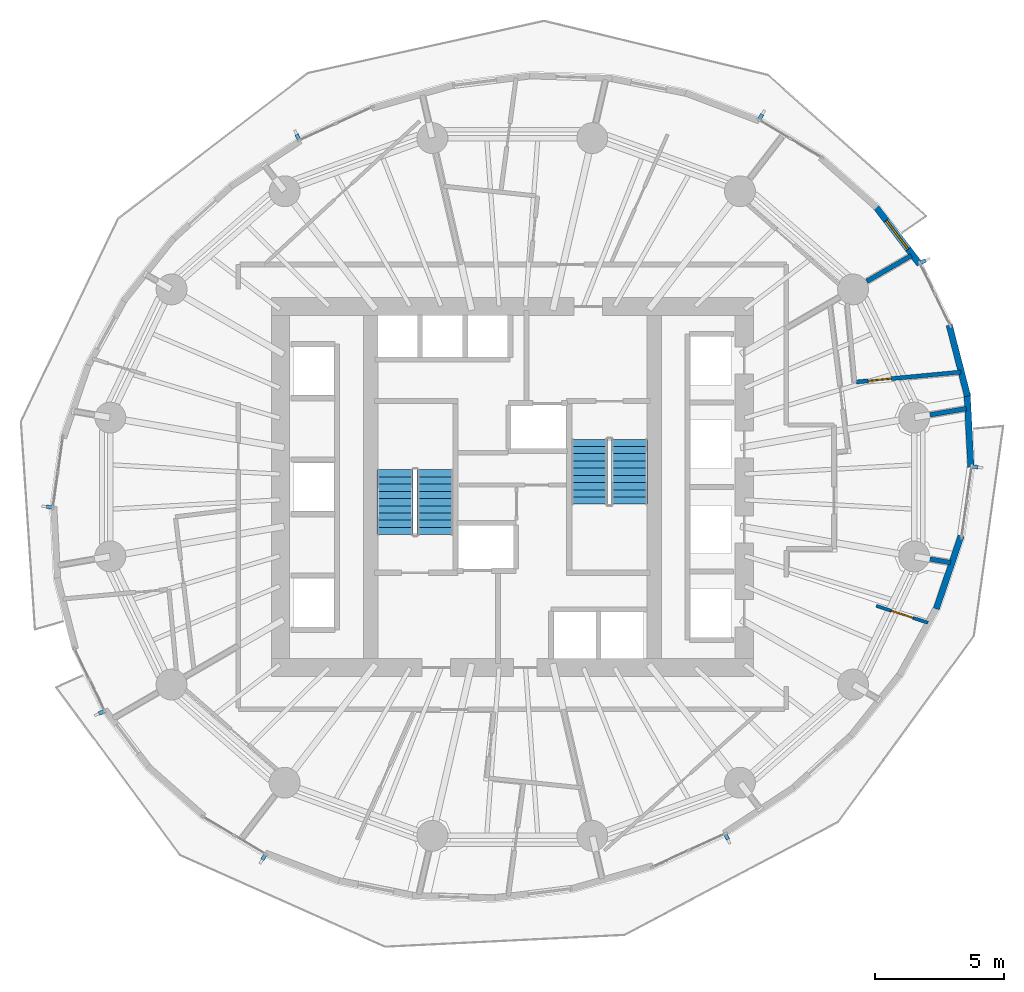
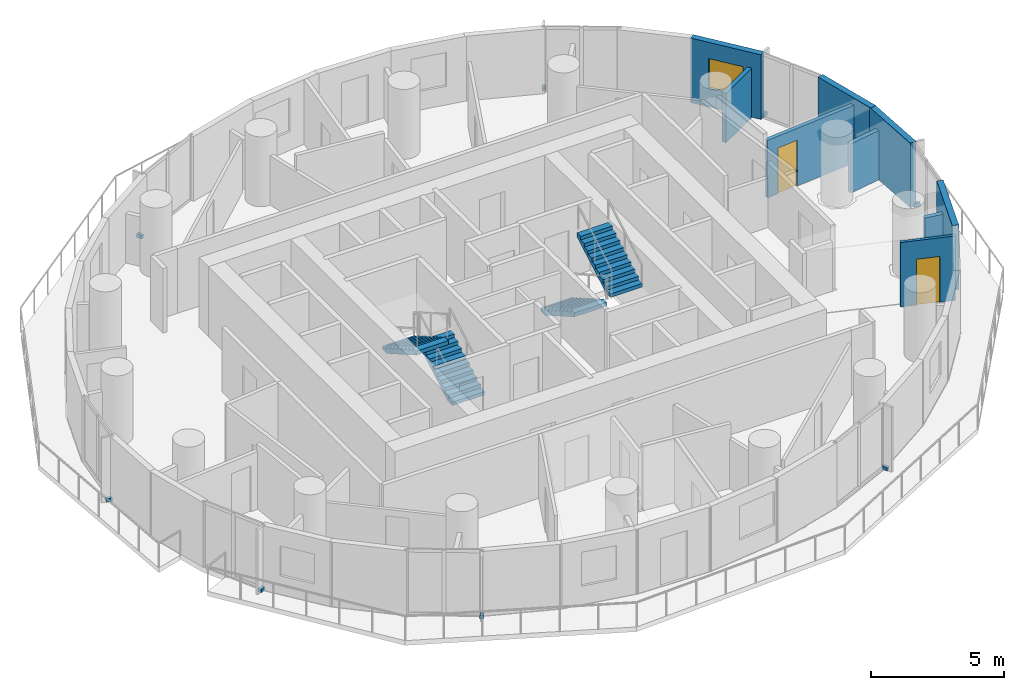
# One storey, part 10 of 14: 9 walls, 8 discrete accessories, 4 stair flights, 2 doors, 1 window, 3 openings, 2 elements without a shape of their own.
"""IFC4 building model written with IfcOpenShell, lengths in metres."""

from ifc_helpers import new_model, si_unit, direction, frame, frame_2d, origin, origin_2d, place, context, subcontext, project, spatial, polyline, rectangle, outline, extrude, material, layer, layer_set, type_object, element, fill, aggregate, save


model = new_model("IFC4")

# Units and contexts
model_context = context("Model", 3, precision=1e-05, world=origin(), true_north=direction((0.0, 1.0)))
body_context = subcontext(model_context, "Body", "Model", "MODEL_VIEW")
ifc_project = project(units=[si_unit("LENGTHUNIT", "METRE"), si_unit("AREAUNIT", "SQUARE_METRE"), si_unit("VOLUMEUNIT", "CUBIC_METRE"), si_unit("PLANEANGLEUNIT", "RADIAN"), si_unit("MASSUNIT", "GRAM", prefix="KILO")], contexts=[model_context])

# Site, building, storey
site_placement = place(None, origin())
site = spatial("IfcSite", under=ifc_project, at=site_placement, CompositionType="ELEMENT")
building_placement = place(site_placement, origin())
building = spatial("IfcBuilding", under=site, at=building_placement, Name="Veldorim Arch Residences", CompositionType="ELEMENT")
storey_placement = place(building_placement, frame((0.0, 0.0, 86.8798828125)))
storey = spatial("IfcBuildingStorey", under=building, at=storey_placement, Name="L25", CompositionType="ELEMENT", Elevation=86.8798828125)

# Wall, opening, door
ifc_material_1 = material(Name="Acoustic Gypsum Board", Category="gypsum")
ifc_layer_1 = layer(ifc_material_1, 0.125, Name="Acoustic Stud Room Partition Wall 125")
ifc_layer_set_1 = layer_set([ifc_layer_1], Name="Acoustic Gypsum Board")
wall_type_1 = type_object("IfcWallType", Name="Acoustic Stud Room Partition Wall 125", PredefinedType="PARTITIONING", material=ifc_layer_set_1)
wall_1_placement = place(storey_placement, frame((48.1298828125, 18.73046875, 0.0), z_axis=(0.0, 0.0, 1.0), x_axis=(-0.950573429935, 0.310499845896, 0.0)))
wall_1 = element("IfcWall", 1, at=wall_1_placement, inside=storey, type_object=wall_type_1, Name="L25 interior wall WL-RES-L25-023", PredefinedType="PARTITIONING", context=body_context, shape_type="SweptSolid", body=[
    extrude(rectangle(XDim=2.112060546875, YDim=0.125, at=frame_2d((1.05615234375, 0.0))), origin(), (0.0, 0.0, 1.0), 2.955078125),
])
opening_1_placement = place(wall_1_placement, frame((0.60595703125, 0.0, 0.0)))
opening_1 = element("IfcOpeningElement", 2, at=opening_1_placement, cuts=wall_1, Name="Opening DR-INT", PredefinedType="OPENING", context=body_context, shape_type="SweptSolid", body=[
    extrude(rectangle(XDim=0.89990234375, YDim=2.10009765625, at=frame_2d((0.449951171875, 1.050048828125))), frame((0.0, 0.072509765625, 0.0), z_axis=(0.0, -1.0, 0.0), x_axis=(1.0, 0.0, 0.0)), (0.0, 0.0, 1.0), 0.14501953125),
])
ifc_material_2 = material(Name="Engineered Timber", Category="wood")
door_type_1 = type_object("IfcDoorType", Name="Apartment Internal Room Timber Door 900x2100", OperationType="SINGLE_SWING_LEFT", PredefinedType="DOOR", material=ifc_material_2)
door_1_placement = place(opening_1_placement, origin())
door_1 = element("IfcDoor", 3, at=door_1_placement, inside=storey, type_object=door_type_1, Name="L25 interior door DR-RES-L25-008", OperationType="SINGLE_SWING_RIGHT", OverallHeight=2.10009765625, OverallWidth=0.89990234375, PredefinedType="DOOR", context=body_context, shape_type="SweptSolid", body=[
    extrude(rectangle(XDim=0.89990234375, YDim=2.10009765625, at=frame_2d((0.449951171875, 1.050048828125))), frame((0.0, 0.02490234375, 0.0), z_axis=(0.0, -1.0, 0.0), x_axis=(1.0, 0.0, 0.0)), (0.0, 0.0, 1.0), 0.050048828125),
])
fill(opening_1, door_1)

# Walls
ifc_material_3 = material(Name="Lightweight Masonry Block & Gypsum", Category="masonry")
ifc_layer_2 = layer(ifc_material_3, 0.179931640625, Name="Compartment & Corridor Fire-Rated Party Wall 180")
ifc_layer_set_2 = layer_set([ifc_layer_2], Name="Lightweight Masonry Block & Gypsum")
wall_type_2 = type_object("IfcWallType", Name="Compartment & Corridor Fire-Rated Party Wall 180", PredefinedType="PARTITIONING", material=ifc_layer_set_2)
wall_2_placement = place(storey_placement, frame((48.20556640625, 26.797607421875, 0.0), z_axis=(0.0, 0.0, 1.0), x_axis=(0.985402123708, 0.170242928172, 0.0)))
element("IfcWall", 4, at=wall_2_placement, inside=storey, type_object=wall_type_2, Name="L25 interior wall WL-PIER-L25-01", PredefinedType="PARTITIONING", context=body_context, shape_type="SweptSolid", body=[
    extrude(rectangle(XDim=1.435546875, YDim=0.179931640625, at=frame_2d((0.7177734375, 0.0))), origin(), (0.0, 0.0, 1.0), 2.2607421875),
])
wall_3_placement = place(storey_placement, frame((45.756591796875, 31.977783203125, 0.0), z_axis=(0.0, 0.0, 1.0), x_axis=(0.865046065875, 0.501692439563, 0.0)))
element("IfcWall", 5, at=wall_3_placement, inside=storey, type_object=wall_type_2, Name="L25 interior wall WL-PIER-L25-02", PredefinedType="PARTITIONING", context=body_context, shape_type="SweptSolid", body=[
    extrude(rectangle(XDim=1.994140625, YDim=0.179931640625, at=frame_2d((0.9970703125, 0.0))), origin(), (0.0, 0.0, 1.0), 2.2607421875),
])
wall_4_placement = place(storey_placement, frame((48.20556640625, 21.202392578125, 0.0), z_axis=(0.0, 0.0, 1.0), x_axis=(0.985418430365, -0.170148514822, 0.0)))
element("IfcWall", 6, at=wall_4_placement, inside=storey, type_object=wall_type_2, Name="L25 interior wall WL-PIER-L25-16", PredefinedType="PARTITIONING", context=body_context, shape_type="SweptSolid", body=[
    extrude(rectangle(XDim=0.812255859375, YDim=0.179931640625, at=frame_2d((0.40625, 0.0))), origin(), (0.0, 0.0, 1.0), 2.2607421875),
])

# Wall, opening, window
ifc_material_4 = material(Name="Precast concrete C40/50", Category="concrete")
ifc_layer_3 = layer(ifc_material_4, 0.25, Name="Tower Terracotta Spandrel & Pier Wall 250")
ifc_layer_set_3 = layer_set([ifc_layer_3], Name="Precast concrete C40/50")
wall_type_3 = type_object("IfcWallType", Name="Tower Terracotta Spandrel & Pier Wall 250", PredefinedType="SOLIDWALL", material=ifc_layer_set_3)
wall_5_placement = place(storey_placement, frame((46.0654296875, 34.927001953125, 0.0), z_axis=(0.0, 0.0, 1.0), x_axis=(0.606166055027, -0.795338112838, 0.0)))
wall_5 = element("IfcWall", 7, at=wall_5_placement, inside=storey, type_object=wall_type_3, Name="L25 terracotta facade wall 02", PredefinedType="SOLIDWALL", context=body_context, shape_type="SweptSolid", body=[
    extrude(rectangle(XDim=2.8740234375, YDim=0.25, at=frame_2d((1.43701171875, 0.0))), origin(), (0.0, 0.0, 1.0), 2.960205078125),
])
opening_2_placement = place(wall_5_placement, frame((0.737060546875, 0.0, 0.85009765625)))
opening_2 = element("IfcOpeningElement", 8, at=opening_2_placement, cuts=wall_5, Name="Opening WN-02", PredefinedType="OPENING", context=body_context, shape_type="SweptSolid", body=[
    extrude(rectangle(XDim=1.39990234375, YDim=1.3701171875, at=frame_2d((0.699951171875, 0.68505859375))), frame((0.0, 0.135009765625, 0.0), z_axis=(0.0, -1.0, 0.0), x_axis=(1.0, 0.0, 0.0)), (0.0, 0.0, 1.0), 0.27001953125),
])
ifc_material_5 = material(Name="Laminated Low-E Glass", Category="glass")
window_type = type_object("IfcWindowType", Name="Residential Casement Window 1400x1550", PartitioningType="SINGLE_PANEL", PredefinedType="WINDOW", material=ifc_material_5)
window_placement = place(opening_2_placement, origin())
window = element("IfcWindow", 9, at=window_placement, inside=storey, type_object=window_type, Name="L25 solar-control facade window 02", OverallHeight=1.3701171875, OverallWidth=1.39990234375, PartitioningType="SINGLE_PANEL", PredefinedType="WINDOW", context=body_context, shape_type="SweptSolid", body=[
    extrude(rectangle(XDim=1.39990234375, YDim=1.3701171875, at=frame_2d((0.699951171875, 0.68505859375))), frame((0.0, 0.030029296875, 0.0), z_axis=(0.0, -1.0, 0.0), x_axis=(1.0, 0.0, 0.0)), (0.0, 0.0, 1.0), 0.06005859375),
])
fill(opening_2, window)

# Walls
wall_6_placement = place(storey_placement, frame((49.414794921875, 22.098876953125, 0.0), z_axis=(0.0, 0.0, 1.0), x_axis=(-0.321149814784, -0.947028403198, 0.0)))
element("IfcWall", 10, at=wall_6_placement, inside=storey, type_object=wall_type_3, Name="L25 terracotta facade wall 33", PredefinedType="SOLIDWALL", context=body_context, shape_type="SweptSolid", body=[
    extrude(rectangle(XDim=2.98828125, YDim=0.25, at=frame_2d((1.494140625, 0.0))), origin(), (0.0, 0.0, 1.0), 2.960205078125),
])
wall_7_placement = place(storey_placement, frame((49.643798828125, 27.64013671875, 0.0), z_axis=(0.0, 0.0, 1.0), x_axis=(0.052411702269, -0.998625562193, 0.0)))
element("IfcWall", 11, at=wall_7_placement, inside=storey, type_object=wall_type_3, Name="L25 terracotta facade wall 35", PredefinedType="SOLIDWALL", context=body_context, shape_type="SweptSolid", body=[
    extrude(rectangle(XDim=2.8740234375, YDim=0.25, at=frame_2d((1.43701171875, 0.0))), origin(), (0.0, 0.0, 1.0), 2.960205078125),
])
wall_8_placement = place(storey_placement, frame((48.95263671875, 30.284912109375, 0.0), z_axis=(0.0, 0.0, 1.0), x_axis=(0.248825035787, -0.96854845081, 0.0)))
element("IfcWall", 12, at=wall_8_placement, inside=storey, type_object=wall_type_3, Name="L25 terracotta facade wall 36", PredefinedType="SOLIDWALL", context=body_context, shape_type="SweptSolid", body=[
    extrude(rectangle(XDim=2.847412109375, YDim=0.25, at=frame_2d((1.423828125, 0.0))), origin(), (0.0, 0.0, 1.0), 2.960205078125),
])

# Wall, opening, door
ifc_material_6 = material(Name="Moisture-Resistant Gypsum & Stud", Category="gypsum")
ifc_layer_4 = layer(ifc_material_6, 0.159912109375, Name="Wet-Area Moisture-Resistant Plumbing Wall 160")
ifc_layer_set_4 = layer_set([ifc_layer_4], Name="Moisture-Resistant Gypsum & Stud")
wall_type_4 = type_object("IfcWallType", Name="Wet-Area Moisture-Resistant Plumbing Wall 160", PredefinedType="PLUMBINGWALL", material=ifc_layer_set_4)
wall_9_placement = place(storey_placement, frame((45.34716796875, 28.07421875, 0.0), z_axis=(0.0, 0.0, 1.0), x_axis=(0.995525564748, 0.09449259195, 0.0)))
wall_9 = element("IfcWall", 13, at=wall_9_placement, inside=storey, type_object=wall_type_4, Name="L25 interior wall WL-RES-L25-022", PredefinedType="PLUMBINGWALL", context=body_context, shape_type="SweptSolid", body=[
    extrude(rectangle(XDim=4.0771484375, YDim=0.159912109375, at=frame_2d((2.03857421875, 0.0))), origin(), (0.0, 0.0, 1.0), 2.6416015625),
])
opening_3_placement = place(wall_9_placement, frame((0.468505859375, 0.0, 0.0)))
opening_3 = element("IfcOpeningElement", 14, at=opening_3_placement, cuts=wall_9, Name="Opening DR-WC", PredefinedType="OPENING", context=body_context, shape_type="SweptSolid", body=[
    extrude(rectangle(XDim=0.89990234375, YDim=2.10009765625, at=frame_2d((0.449951171875, 1.050048828125))), frame((0.0, 0.08984375, 0.0), z_axis=(0.0, -1.0, 0.0), x_axis=(1.0, 0.0, 0.0)), (0.0, 0.0, 1.0), 0.179931640625),
])
ifc_material_7 = material(Name="Laminate Timber", Category="wood")
door_type_2 = type_object("IfcDoorType", Name="Bathroom & Accessible WC Moisture-Sealed Door 900x2100", OperationType="SINGLE_SWING_LEFT", PredefinedType="DOOR", material=ifc_material_7)
door_2_placement = place(opening_3_placement, origin())
door_2 = element("IfcDoor", 15, at=door_2_placement, inside=storey, type_object=door_type_2, Name="L25 interior door DR-RES-L25-007", OperationType="SINGLE_SWING_LEFT", OverallHeight=2.10009765625, OverallWidth=0.89990234375, PredefinedType="DOOR", context=body_context, shape_type="SweptSolid", body=[
    extrude(rectangle(XDim=0.89990234375, YDim=2.10009765625, at=frame_2d((0.449951171875, 1.050048828125))), frame((0.0, 0.02490234375, 0.0), z_axis=(0.0, -1.0, 0.0), x_axis=(1.0, 0.0, 0.0)), (0.0, 0.0, 1.0), 0.050048828125),
])
fill(opening_3, door_2)

# Stair, stair flights
ifc_material_8 = material(Name="Concrete C40/50", Category="concrete")
stair_type = type_object("IfcStairType", Name="Reinforced Concrete Dogleg Exit Staircase", PredefinedType="HALF_TURN_STAIR", material=ifc_material_8)
stair_1_placement = place(storey_placement, origin())
stair_1 = element("IfcStair", 16, at=stair_1_placement, inside=storey, type_object=stair_type, Name="L25 Exit Staircase ST-1", PredefinedType="HALF_TURN_STAIR")
ifc_material_9 = material(Name="Concrete C40/50", Category="concrete")
stair_flight_type = type_object("IfcStairFlightType", Name="Reinforced Concrete Stair Flight 1400", PredefinedType="STRAIGHT", material=ifc_material_9)
stair_flight_1_placement = place(storey_placement, frame((29.010009765625, 22.14990234375, 0.0), z_axis=(0.0, 0.0, 1.0), x_axis=(0.0, 1.0, 0.0)))
stair_flight_1 = element("IfcStairFlight", 17, at=stair_flight_1_placement, type_object=stair_flight_type, Name="ST-1 flight 1", NumberOfRisers=10, NumberOfTreads=9, PredefinedType="STRAIGHT", RiserHeight=0.16, TreadLength=0.28, context=body_context, shape_type="SweptSolid", body=[
    extrude(outline(polyline([(0.0, 0.0), (0.0, 0.159912109375), (0.280029296875, 0.159912109375), (0.280029296875, 0.320068359375), (0.56005859375, 0.320068359375), (0.56005859375, 0.47998046875), (0.840087890625, 0.47998046875), (0.840087890625, 0.639892578125), (1.1201171875, 0.639892578125), (1.1201171875, 0.800048828125), (1.39990234375, 0.800048828125), (1.39990234375, 0.9599609375), (1.679931640625, 0.9599609375), (1.679931640625, 1.1201171875), (1.9599609375, 1.1201171875), (1.9599609375, 1.280029296875), (2.239990234375, 1.280029296875), (2.239990234375, 1.43994140625), (2.52001953125, 1.43994140625), (2.52001953125, 1.60009765625), (2.52001953125, 1.255859375), (0.322265625, 0.0), (0.0, 0.0)])), frame((0.0, 0.699951171875, 0.0), z_axis=(0.0, -1.0, 0.0), x_axis=(1.0, 0.0, 0.0)), (0.0, 0.0, 1.0), 1.39990234375),
])
stair_flight_2_placement = place(storey_placement, frame((27.449951171875, 24.669921875, 1.60009765625), z_axis=(0.0, 0.0, 1.0), x_axis=(0.0, -1.0, 0.0)))
stair_flight_2 = element("IfcStairFlight", 18, at=stair_flight_2_placement, type_object=stair_flight_type, Name="ST-1 flight 2", NumberOfRisers=10, NumberOfTreads=9, PredefinedType="STRAIGHT", RiserHeight=0.16, TreadLength=0.28, context=body_context, shape_type="SweptSolid", body=[
    extrude(outline(polyline([(0.0, 0.0), (0.0, 0.159912109375), (0.280029296875, 0.159912109375), (0.280029296875, 0.320068359375), (0.56005859375, 0.320068359375), (0.56005859375, 0.47998046875), (0.840087890625, 0.47998046875), (0.840087890625, 0.639892578125), (1.1201171875, 0.639892578125), (1.1201171875, 0.800048828125), (1.39990234375, 0.800048828125), (1.39990234375, 0.9599609375), (1.679931640625, 0.9599609375), (1.679931640625, 1.1201171875), (1.9599609375, 1.1201171875), (1.9599609375, 1.280029296875), (2.239990234375, 1.280029296875), (2.239990234375, 1.43994140625), (2.52001953125, 1.43994140625), (2.52001953125, 1.60009765625), (2.52001953125, 1.255859375), (0.322265625, 0.0), (0.0, 0.0)])), frame((0.0, 0.699951171875, 0.0), z_axis=(0.0, -1.0, 0.0), x_axis=(1.0, 0.0, 0.0)), (0.0, 0.0, 1.0), 1.39990234375),
])
aggregate(stair_1, [stair_flight_1, stair_flight_2])

stair_2_placement = place(storey_placement, origin())
stair_2 = element("IfcStair", 19, at=stair_2_placement, inside=storey, type_object=stair_type, Name="L25 Exit Staircase ST-2", PredefinedType="HALF_TURN_STAIR")
stair_flight_3_placement = place(storey_placement, frame((34.989990234375, 25.85009765625, 0.0), z_axis=(0.0, 0.0, 1.0), x_axis=(0.0, -1.0, 0.0)))
stair_flight_3 = element("IfcStairFlight", 20, at=stair_flight_3_placement, type_object=stair_flight_type, Name="ST-2 flight 1", NumberOfRisers=10, NumberOfTreads=9, PredefinedType="STRAIGHT", RiserHeight=0.16, TreadLength=0.28, context=body_context, shape_type="SweptSolid", body=[
    extrude(outline(polyline([(0.0, 0.0), (0.0, 0.159912109375), (0.280029296875, 0.159912109375), (0.280029296875, 0.320068359375), (0.56005859375, 0.320068359375), (0.56005859375, 0.47998046875), (0.840087890625, 0.47998046875), (0.840087890625, 0.639892578125), (1.1201171875, 0.639892578125), (1.1201171875, 0.800048828125), (1.39990234375, 0.800048828125), (1.39990234375, 0.9599609375), (1.679931640625, 0.9599609375), (1.679931640625, 1.1201171875), (1.9599609375, 1.1201171875), (1.9599609375, 1.280029296875), (2.239990234375, 1.280029296875), (2.239990234375, 1.43994140625), (2.52001953125, 1.43994140625), (2.52001953125, 1.60009765625), (2.52001953125, 1.255859375), (0.322265625, 0.0), (0.0, 0.0)])), frame((0.0, 0.699951171875, 0.0), z_axis=(0.0, -1.0, 0.0), x_axis=(1.0, 0.0, 0.0)), (0.0, 0.0, 1.0), 1.39990234375),
])
stair_flight_4_placement = place(storey_placement, frame((36.550048828125, 23.330078125, 1.60009765625), z_axis=(0.0, 0.0, 1.0), x_axis=(0.0, 1.0, 0.0)))
stair_flight_4 = element("IfcStairFlight", 21, at=stair_flight_4_placement, type_object=stair_flight_type, Name="ST-2 flight 2", NumberOfRisers=10, NumberOfTreads=9, PredefinedType="STRAIGHT", RiserHeight=0.16, TreadLength=0.28, context=body_context, shape_type="SweptSolid", body=[
    extrude(outline(polyline([(0.0, 0.0), (0.0, 0.159912109375), (0.280029296875, 0.159912109375), (0.280029296875, 0.320068359375), (0.56005859375, 0.320068359375), (0.56005859375, 0.47998046875), (0.840087890625, 0.47998046875), (0.840087890625, 0.639892578125), (1.1201171875, 0.639892578125), (1.1201171875, 0.800048828125), (1.39990234375, 0.800048828125), (1.39990234375, 0.9599609375), (1.679931640625, 0.9599609375), (1.679931640625, 1.1201171875), (1.9599609375, 1.1201171875), (1.9599609375, 1.280029296875), (2.239990234375, 1.280029296875), (2.239990234375, 1.43994140625), (2.52001953125, 1.43994140625), (2.52001953125, 1.60009765625), (2.52001953125, 1.255859375), (0.322265625, 0.0), (0.0, 0.0)])), frame((0.0, 0.699951171875, 0.0), z_axis=(0.0, -1.0, 0.0), x_axis=(1.0, 0.0, 0.0)), (0.0, 0.0, 1.0), 1.39990234375),
])
aggregate(stair_2, [stair_flight_3, stair_flight_4])

# Discrete accessories
ifc_material_10 = material(Name="Stainless Steel", Category="steel")
discrete_accessory_type = type_object("IfcDiscreteAccessoryType", Name="Stainless Steel Facade Fin Anchor Bracket", PredefinedType="BRACKET", material=ifc_material_10)
for number, where, z_axis, x_axis, name in (
    (22, (47.932373046875, 32.7421875, -0.02001953125), (0.0, 0.0, 1.0), (0.437115766651, -0.899405251566, 0.0), "L25 stainless fin anchor bracket 01"),
    (23, (41.63720703125, 38.3583984375, -0.02001953125), (0.0, 0.0, 1.0), (0.857616429769, -0.514289859311, 0.0), "L25 stainless fin anchor bracket 04"),
    (24, (23.6826171875, 37.569580078125, -0.02001953125), (0.0, 0.0, 1.0), (0.909961270877, 0.414693242656, 0.0), "L25 stainless fin anchor bracket 10"),
    (25, (14.04541015625, 23.216796875, -0.02001953125), (0.0, 0.0, 1.0), (0.14055563991, 0.990072781208, 0.0), "L25 stainless fin anchor bracket 16"),
    (26, (16.067626953125, 15.2578125, -0.02001953125), (0.0, 0.0, 1.0), (-0.437115766651, 0.899405251566, 0.0), "L25 stainless fin anchor bracket 19"),
    (27, (22.36279296875, 9.6416015625, -0.02001953125), (0.0, 0.0, 1.0), (-0.857616429769, 0.514289859311, 0.0), "L25 stainless fin anchor bracket 22"),
    (28, (40.3173828125, 10.430419921875, -0.02001953125), (0.0, 0.0, 1.0), (-0.909961270877, -0.414693242656, 0.0), "L25 stainless fin anchor bracket 28"),
    (29, (49.95458984375, 24.783203125, -0.02001953125), (0.0, 0.0, 1.0), (-0.14055563991, -0.990072781208, 0.0), "L25 stainless fin anchor bracket 34"),
):
    element("IfcDiscreteAccessory", number, at=place(storey_placement, frame(where, z_axis=z_axis, x_axis=x_axis)), inside=storey, type_object=discrete_accessory_type, Name=name, PredefinedType="BRACKET", context=body_context, shape_type="SweptSolid", body=[
        extrude(rectangle(XDim=0.139892578125, YDim=0.239990234375, at=origin_2d()), origin(), (0.0, 0.0, 1.0), 0.159912109375),
    ])

save(model, "model.ifc")
